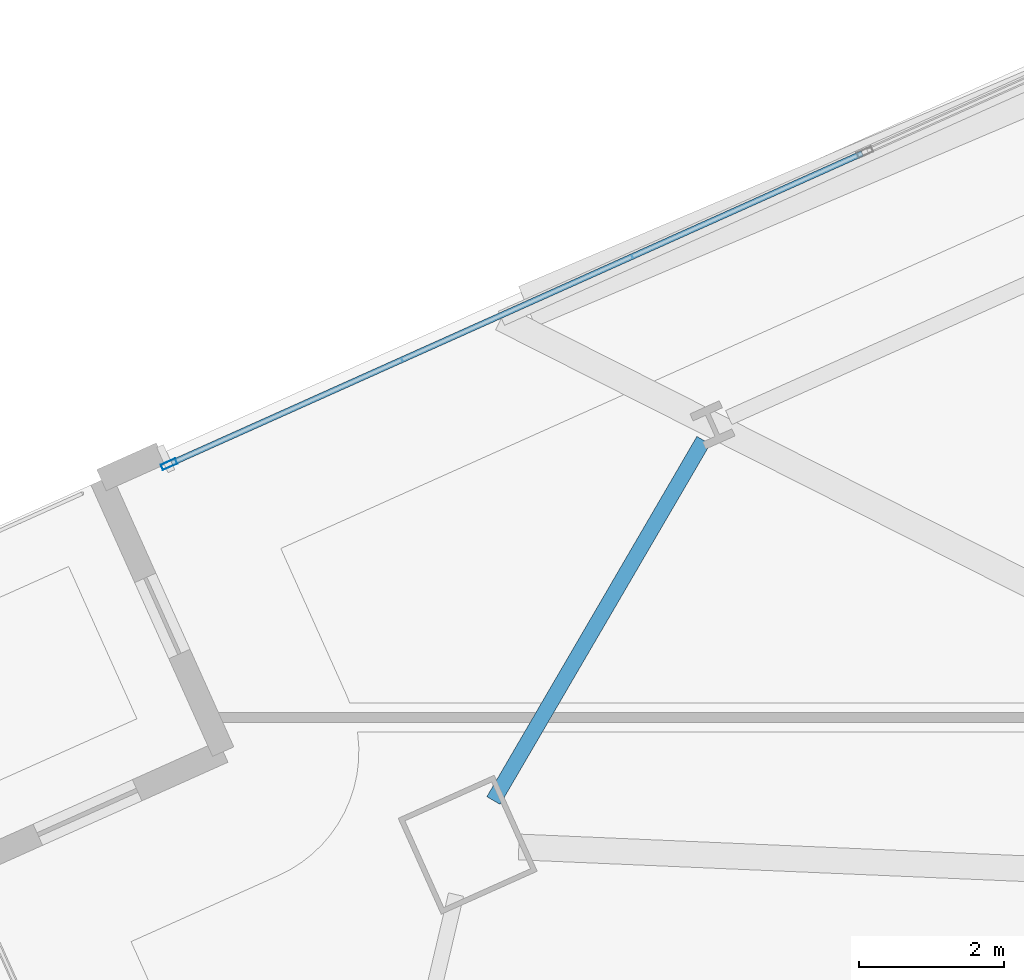
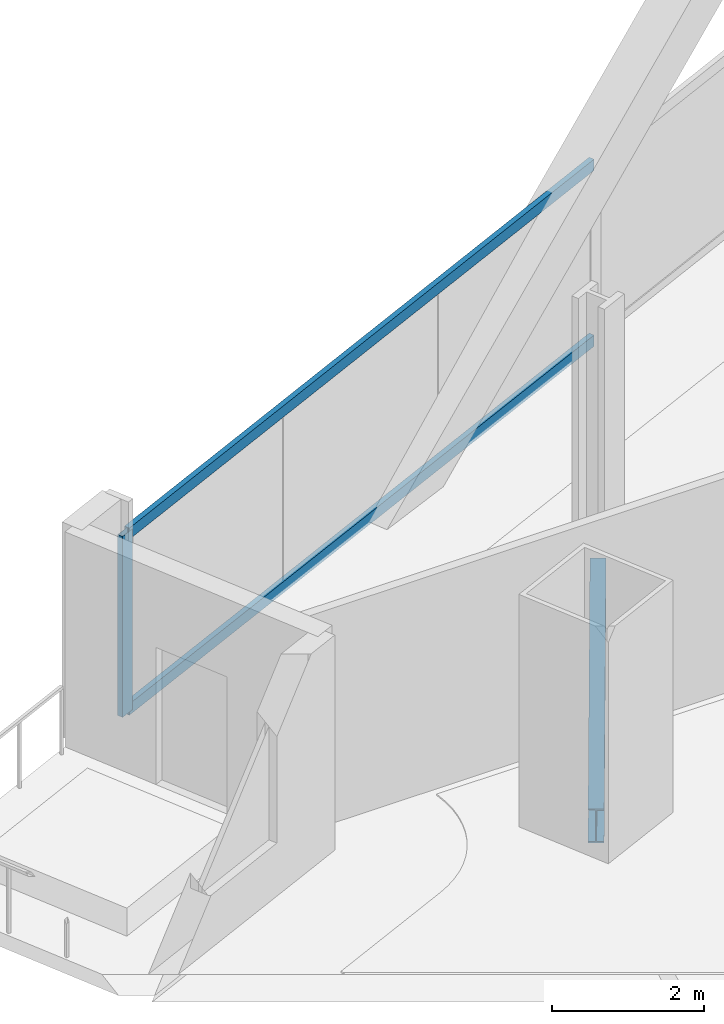
# One storey, part 16 of 38: 3 members, 1 beam, 1 element without a shape of its own.
"""IFC4 building model written with IfcOpenShell, lengths in metres."""

from ifc_helpers import new_model, si_unit, direction, frame, origin, origin_2d, place, context, subcontext, project, spatial, hollow_rectangle, i_section, extrude, material, material_profile, profile_set, type_object, element, aggregate, save


model = new_model("IFC4")

# Units and contexts
model_context = context("Model", 3, precision=1e-05, world=origin(), true_north=direction((0.0, 1.0)))
body_context = subcontext(model_context, "Body", "Model", "MODEL_VIEW")
ifc_project = project(units=[si_unit("LENGTHUNIT", "METRE"), si_unit("AREAUNIT", "SQUARE_METRE"), si_unit("VOLUMEUNIT", "CUBIC_METRE"), si_unit("PLANEANGLEUNIT", "RADIAN"), si_unit("MASSUNIT", "GRAM", prefix="KILO")], contexts=[model_context])

# Site, building, storey
site_placement = place(None, origin())
site = spatial("IfcSite", under=ifc_project, at=site_placement, CompositionType="ELEMENT")
building_placement = place(site_placement, origin())
building = spatial("IfcBuilding", under=site, at=building_placement, Name="Haldenkirk Collegiate Tower", CompositionType="ELEMENT")
storey_placement = place(building_placement, frame((0.0, 0.0, 109.199951171875)))
storey = spatial("IfcBuildingStorey", under=building, at=storey_placement, Name="L26", CompositionType="ELEMENT", Elevation=109.199951171875)

# Beam
ifc_material_1 = material(Name="Steel ASTM A992 Grade 50", Category="steel")
ifc_material_profile_1 = material_profile(ifc_material_1, i_section(OverallWidth=0.2119140625, OverallDepth=0.5439453125, WebThickness=0.01318359375, FlangeThickness=0.021240234375, at=origin_2d()), Name="W21X83")
ifc_profile_set_1 = profile_set([ifc_material_profile_1], Name="Steel ASTM A992 Grade 50")
beam_type = type_object("IfcBeamType", Name="BM-SPANDREL-W21X83", PredefinedType="SPANDREL", material=ifc_profile_set_1)
beam_placement = place(storey_placement, frame((14.035888671875, 40.27001953125, -0.572021484375), z_axis=(-0.503649179098, -0.863908273137, 0.0), x_axis=(0.863908273137, -0.503649179098, 0.0)))
element("IfcBeam", 1, at=beam_placement, inside=storey, type_object=beam_type, Name="L26 perimeter spandrel beam 12", PredefinedType="SPANDREL", context=body_context, shape_type="SweptSolid", body=[
    extrude(i_section(OverallWidth=0.2119140625, OverallDepth=0.5439453125, WebThickness=0.01318359375, FlangeThickness=0.021240234375, at=origin_2d()), origin(), (0.0, 0.0, 1.0), 5.748046875),
])

# Curtain wall, members
ifc_material_2 = material(Name="Anodised architectural bronze aluminium", Category="aluminium")
curtain_wall_type = type_object("IfcCurtainWallType", Name="CW-SYS1-CONVEX-LOW", PredefinedType="USERDEFINED", material=ifc_material_2)
curtain_wall_placement = place(storey_placement, origin())
curtain_wall = element("IfcCurtainWall", 2, at=curtain_wall_placement, inside=storey, type_object=curtain_wall_type, Name="L26 Lower tower convex bronze-framed unitised curtain wall", ObjectType="UNITISED CURTAIN WALL", PredefinedType="USERDEFINED")
ifc_material_profile_2 = material_profile(ifc_material_2, hollow_rectangle(XDim=0.080078125, YDim=0.219970703125, WallThickness=0.0048828125, at=origin_2d()), Name="CW-MUL-1A")
ifc_profile_set_2 = profile_set([ifc_material_profile_2], Name="Anodised architectural bronze aluminium")
member_type_1 = type_object("IfcMemberType", Name="CW-MUL-1A", PredefinedType="MULLION", material=ifc_profile_set_2)
member_1_placement = place(storey_placement, frame((6.66943359375, 39.940185546875, 0.0), z_axis=(0.0, 0.0, 1.0), x_axis=(-0.409127344707, 0.912477296053, 0.0)))
member_1 = element("IfcMember", 3, at=member_1_placement, type_object=member_type_1, Name="CW-1A mullion 1", PredefinedType="MULLION", context=body_context, shape_type="SweptSolid", body=[
    extrude(hollow_rectangle(XDim=0.080078125, YDim=0.219970703125, WallThickness=0.0048828125, at=origin_2d()), origin(), (0.0, 0.0, 1.0), 2.901123046875),
])
ifc_material_profile_3 = material_profile(ifc_material_2, hollow_rectangle(XDim=0.080078125, YDim=0.179931640625, WallThickness=0.0048828125, at=origin_2d()), Name="CW-TRN-1A")
ifc_profile_set_3 = profile_set([ifc_material_profile_3], Name="Anodised architectural bronze aluminium")
member_type_2 = type_object("IfcMemberType", Name="CW-TRN-1A", PredefinedType="USERDEFINED", material=ifc_profile_set_3)
member_2_placement = place(storey_placement, frame((6.7060546875, 39.95654296875, 0.0400390625), z_axis=(0.912471660045, 0.409139914472, 0.0), x_axis=(-0.409139914472, 0.912471660045, 0.0)))
member_2 = element("IfcMember", 4, at=member_2_placement, type_object=member_type_2, Name="CW-1A transom 1.1", ObjectType="TRANSOM", PredefinedType="USERDEFINED", context=body_context, shape_type="SweptSolid", body=[
    extrude(hollow_rectangle(XDim=0.080078125, YDim=0.179931640625, WallThickness=0.0048828125, at=origin_2d()), origin(), (0.0, 0.0, 1.0), 10.429931640625),
])
member_3_placement = place(storey_placement, frame((6.7060546875, 39.95654296875, 2.861083984375), z_axis=(0.912471660045, 0.409139914472, 0.0), x_axis=(-0.409139914472, 0.912471660045, 0.0)))
member_3 = element("IfcMember", 5, at=member_3_placement, type_object=member_type_2, Name="CW-1A transom 1.2", ObjectType="TRANSOM", PredefinedType="USERDEFINED", context=body_context, shape_type="SweptSolid", body=[
    extrude(hollow_rectangle(XDim=0.080078125, YDim=0.179931640625, WallThickness=0.0048828125, at=origin_2d()), origin(), (0.0, 0.0, 1.0), 10.429931640625),
])
aggregate(curtain_wall, [member_1, member_2, member_3])

save(model, "model.ifc")
